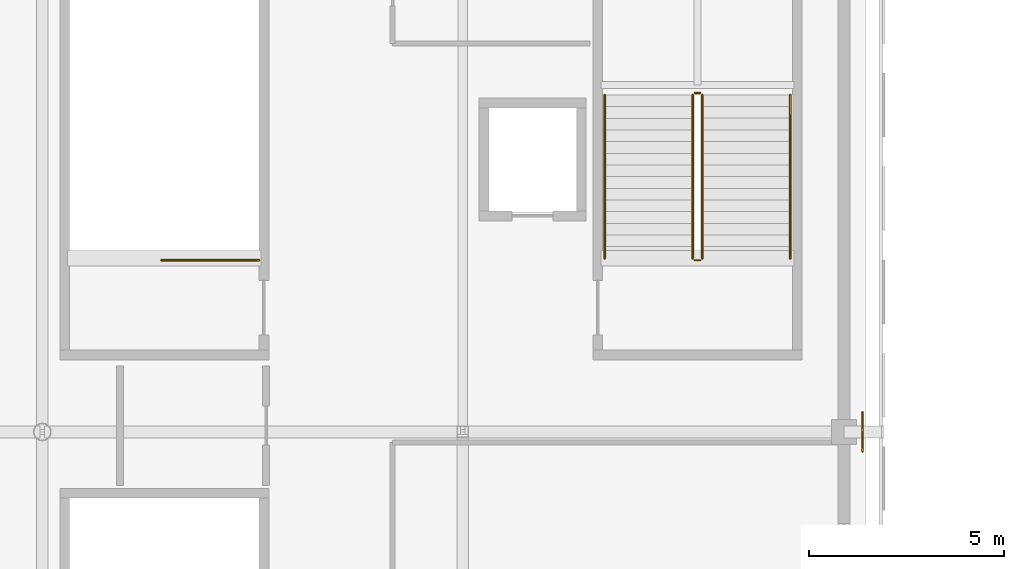
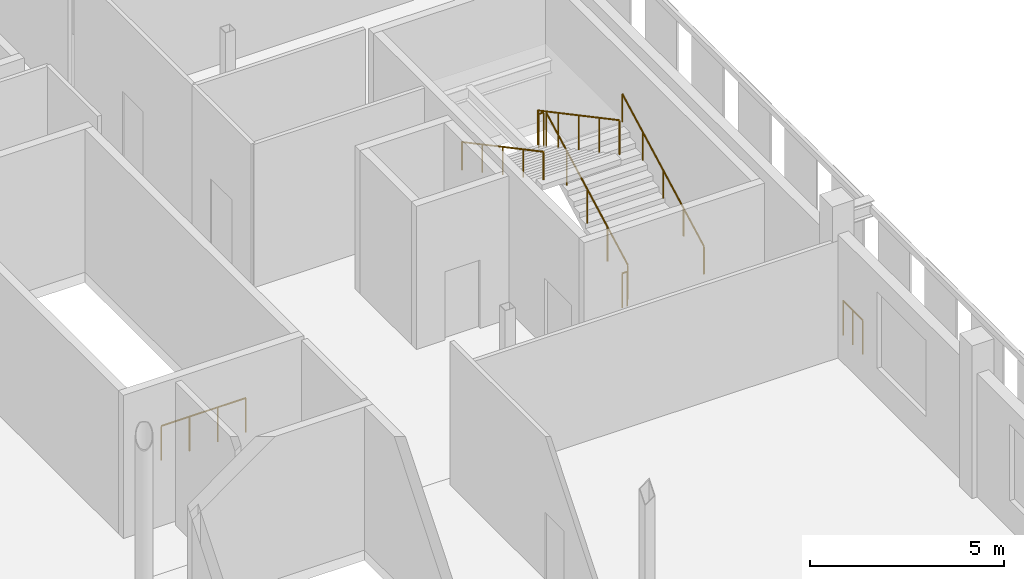
# One storey, part 67 of 74: 9 railings.
"""IFC4 building model written with IfcOpenShell, lengths in metres."""

from ifc_helpers import new_model, si_unit, direction, frame, origin, origin_2d, place, context, subcontext, project, spatial, circle, extrude, material, type_object, element, save


model = new_model("IFC4")

# Units and contexts
model_context = context("Model", 3, precision=1e-05, world=origin(), true_north=direction((0.0, 1.0)))
body_context = subcontext(model_context, "Body", "Model", "MODEL_VIEW")
ifc_project = project(units=[si_unit("LENGTHUNIT", "METRE"), si_unit("AREAUNIT", "SQUARE_METRE"), si_unit("VOLUMEUNIT", "CUBIC_METRE"), si_unit("PLANEANGLEUNIT", "RADIAN"), si_unit("MASSUNIT", "GRAM", prefix="KILO")], contexts=[model_context])

# Site, building, storey
site_placement = place(None, origin())
site = spatial("IfcSite", under=ifc_project, at=site_placement, CompositionType="ELEMENT")
building_placement = place(site_placement, origin())
building = spatial("IfcBuilding", under=site, at=building_placement, Name="Koshinbarg Plaza Stadium", CompositionType="ELEMENT")
storey_placement = place(building_placement, frame((0.0, 0.0, 15.0)))
storey = spatial("IfcBuildingStorey", under=building, at=storey_placement, Name="L03", CompositionType="ELEMENT", Elevation=15.0)

# Railings
ifc_material_1 = material(Name="Toughened laminated glass and stainless steel sightline balustrade", Category="steel")
railing_type_1 = type_object("IfcRailingType", Name="RL-BOWL-1100", PredefinedType="BALUSTRADE", material=ifc_material_1)
railing_1_placement = place(storey_placement, frame((218.875, 54.300048828125, 0.0)))
element("IfcRailing", 1, at=railing_1_placement, inside=storey, type_object=railing_type_1, Name="L03 deck edge safety balustrade 0236", PredefinedType="BALUSTRADE", context=body_context, shape_type="SweptSolid", body=[
    extrude(circle(Radius=0.02392578125, at=origin_2d()), frame((0.0, 0.0, 1.076171875), z_axis=(0.0, -1.0, 0.0), x_axis=(1.0, 0.0, 0.0)), (0.0, 0.0, 1.0), 0.49853515625),
    extrude(circle(Radius=0.02099609375, at=origin_2d()), origin(), (0.0, 0.0, 1.0), 1.052001953125),
    extrude(circle(Radius=0.02099609375, at=origin_2d()), frame((0.0, -0.49853515625, 0.0)), (0.0, 0.0, 1.0), 1.052001953125),
])
railing_2_placement = place(storey_placement, frame((218.875, 54.800048828125, 0.0)))
element("IfcRailing", 2, at=railing_2_placement, inside=storey, type_object=railing_type_1, Name="L03 deck edge safety balustrade 0245", PredefinedType="BALUSTRADE", context=body_context, shape_type="SweptSolid", body=[
    extrude(circle(Radius=0.02392578125, at=origin_2d()), frame((0.0, 0.0, 1.076171875), z_axis=(0.0, -1.0, 0.0), x_axis=(1.0, 0.0, 0.0)), (0.0, 0.0, 1.0), 0.5),
    extrude(circle(Radius=0.02099609375, at=origin_2d()), origin(), (0.0, 0.0, 1.0), 1.052001953125),
    extrude(circle(Radius=0.02099609375, at=origin_2d()), frame((0.0, -0.5, 0.0)), (0.0, 0.0, 1.0), 1.052001953125),
])
ifc_material_2 = material(Name="Galvanized painted steel guardrail", Category="steel")
railing_type_2 = type_object("IfcRailingType", Name="RL-GUARD-1100", PredefinedType="GUARDRAIL", material=ifc_material_2)
railing_3_placement = place(storey_placement, frame((214.760009765625, 58.760009765625, 0.159912109375)))
element("IfcRailing", 3, at=railing_3_placement, inside=storey, type_object=railing_type_2, Name="L03 C08 stair guard 1", PredefinedType="GUARDRAIL", context=body_context, shape_type="SweptSolid", body=[
    extrude(circle(Radius=0.02392578125, at=origin_2d()), frame((0.0, 0.0, 1.076171875), z_axis=(0.0, 0.882351521365, 0.470590897432), x_axis=(-1.0, 0.0, 0.0)), (0.0, 0.0, 1.0), 4.760009765625),
    extrude(circle(Radius=0.02099609375, at=origin_2d()), origin(), (0.0, 0.0, 1.0), 1.052001953125),
    extrude(circle(Radius=0.02099609375, at=origin_2d()), frame((0.0, 1.050048828125, 0.56005859375)), (0.0, 0.0, 1.0), 1.052001953125),
    extrude(circle(Radius=0.02099609375, at=origin_2d()), frame((0.0, 2.10009765625, 1.1201171875)), (0.0, 0.0, 1.0), 1.052001953125),
    extrude(circle(Radius=0.02099609375, at=origin_2d()), frame((0.0, 3.14990234375, 1.679931640625)), (0.0, 0.0, 1.0), 1.052001953125),
    extrude(circle(Radius=0.02099609375, at=origin_2d()), frame((0.0, 4.199951171875, 2.239990234375)), (0.0, 0.0, 1.0), 1.052001953125),
])
railing_4_placement = place(storey_placement, frame((214.7099609375, 63.010009765625, 2.39990234375)))
element("IfcRailing", 4, at=railing_4_placement, inside=storey, type_object=railing_type_2, Name="L03 C08 stair guard 2", PredefinedType="GUARDRAIL", context=body_context, shape_type="SweptSolid", body=[
    extrude(circle(Radius=0.02392578125, at=origin_2d()), frame((0.0, 0.0, 1.076171875), z_axis=(-1.0, 0.0, 0.0), x_axis=(0.0, -1.0, 0.0)), (0.0, 0.0, 1.0), 0.14990234375),
    extrude(circle(Radius=0.02099609375, at=origin_2d()), origin(), (0.0, 0.0, 1.0), 1.052001953125),
    extrude(circle(Radius=0.02099609375, at=origin_2d()), frame((-0.14990234375, 0.0, 0.0)), (0.0, 0.0, 1.0), 1.052001953125),
])
railing_5_placement = place(storey_placement, frame((214.510009765625, 62.9599609375, 2.56005859375)))
element("IfcRailing", 5, at=railing_5_placement, inside=storey, type_object=railing_type_2, Name="L03 C08 stair guard 3", PredefinedType="GUARDRAIL", context=body_context, shape_type="SweptSolid", body=[
    extrude(circle(Radius=0.02392578125, at=origin_2d()), frame((0.0, 0.0, 1.076171875), z_axis=(0.0, -0.882351521365, 0.470590897432), x_axis=(1.0, 0.0, 0.0)), (0.0, 0.0, 1.0), 4.760009765625),
    extrude(circle(Radius=0.02099609375, at=origin_2d()), origin(), (0.0, 0.0, 1.0), 1.052001953125),
    extrude(circle(Radius=0.02099609375, at=origin_2d()), frame((0.0, -1.050048828125, 0.56005859375)), (0.0, 0.0, 1.0), 1.052001953125),
    extrude(circle(Radius=0.02099609375, at=origin_2d()), frame((0.0, -2.10009765625, 1.1201171875)), (0.0, 0.0, 1.0), 1.052001953125),
    extrude(circle(Radius=0.02099609375, at=origin_2d()), frame((0.0, -3.14990234375, 1.679931640625)), (0.0, 0.0, 1.0), 1.052001953125),
    extrude(circle(Radius=0.02099609375, at=origin_2d()), frame((0.0, -4.199951171875, 2.239990234375)), (0.0, 0.0, 1.0), 1.052001953125),
])
railing_6_placement = place(storey_placement, frame((214.7099609375, 58.7099609375, 0.0)))
element("IfcRailing", 6, at=railing_6_placement, inside=storey, type_object=railing_type_2, Name="L03 C08 stair guard 4", PredefinedType="GUARDRAIL", context=body_context, shape_type="SweptSolid", body=[
    extrude(circle(Radius=0.02392578125, at=origin_2d()), frame((0.0, 0.0, 1.076171875), z_axis=(-1.0, 0.0, 0.0), x_axis=(0.0, -1.0, 0.0)), (0.0, 0.0, 1.0), 0.14990234375),
    extrude(circle(Radius=0.02099609375, at=origin_2d()), origin(), (0.0, 0.0, 1.0), 1.052001953125),
    extrude(circle(Radius=0.02099609375, at=origin_2d()), frame((-0.14990234375, 0.0, 0.0)), (0.0, 0.0, 1.0), 1.052001953125),
])
railing_7_placement = place(storey_placement, frame((203.3701171875, 58.7099609375, 0.0)))
element("IfcRailing", 7, at=railing_7_placement, inside=storey, type_object=railing_type_2, Name="L03 VX09 top stairwell guard 1", PredefinedType="GUARDRAIL", context=body_context, shape_type="SweptSolid", body=[
    extrude(circle(Radius=0.02392578125, at=origin_2d()), frame((0.0, 0.0, 1.076171875), z_axis=(-1.0, 0.0, 0.0), x_axis=(0.0, -1.0, 0.0)), (0.0, 0.0, 1.0), 2.510009765625),
    extrude(circle(Radius=0.02099609375, at=origin_2d()), origin(), (0.0, 0.0, 1.0), 1.052001953125),
    extrude(circle(Radius=0.02099609375, at=origin_2d()), frame((-0.836669921875, 0.0, 0.0)), (0.0, 0.0, 1.0), 1.052001953125),
    extrude(circle(Radius=0.02099609375, at=origin_2d()), frame((-1.67333984375, 0.0, 0.0)), (0.0, 0.0, 1.0), 1.052001953125),
    extrude(circle(Radius=0.02099609375, at=origin_2d()), frame((-2.510009765625, 0.0, 0.0)), (0.0, 0.0, 1.0), 1.052001953125),
])
ifc_material_3 = material(Name="Brushed stainless steel handrail", Category="steel")
railing_type_3 = type_object("IfcRailingType", Name="RL-HAND-900", PredefinedType="HANDRAIL", material=ifc_material_3)
railing_8_placement = place(storey_placement, frame((217.02001953125, 58.760009765625, 0.159912109375)))
element("IfcRailing", 8, at=railing_8_placement, inside=storey, type_object=railing_type_3, Name="L03 C08 stair handrail 1", PredefinedType="HANDRAIL", context=body_context, shape_type="SweptSolid", body=[
    extrude(circle(Radius=0.02392578125, at=origin_2d()), frame((0.0, 0.0, 0.8759765625), z_axis=(0.0, 0.882351521365, 0.470590897432), x_axis=(-1.0, 0.0, 0.0)), (0.0, 0.0, 1.0), 4.760009765625),
    extrude(circle(Radius=0.02099609375, at=origin_2d()), origin(), (0.0, 0.0, 1.0), 0.851806640625),
    extrude(circle(Radius=0.02099609375, at=origin_2d()), frame((0.0, 1.050048828125, 0.56005859375)), (0.0, 0.0, 1.0), 0.851806640625),
    extrude(circle(Radius=0.02099609375, at=origin_2d()), frame((0.0, 2.10009765625, 1.1201171875)), (0.0, 0.0, 1.0), 0.851806640625),
    extrude(circle(Radius=0.02099609375, at=origin_2d()), frame((0.0, 3.14990234375, 1.679931640625)), (0.0, 0.0, 1.0), 0.851806640625),
    extrude(circle(Radius=0.02099609375, at=origin_2d()), frame((0.0, 4.199951171875, 2.239990234375)), (0.0, 0.0, 1.0), 0.851806640625),
])
railing_9_placement = place(storey_placement, frame((212.25, 62.9599609375, 2.56005859375)))
element("IfcRailing", 9, at=railing_9_placement, inside=storey, type_object=railing_type_3, Name="L03 C08 stair handrail 2", PredefinedType="HANDRAIL", context=body_context, shape_type="SweptSolid", body=[
    extrude(circle(Radius=0.02392578125, at=origin_2d()), frame((0.0, 0.0, 0.8759765625), z_axis=(0.0, -0.882351521365, 0.470590897432), x_axis=(1.0, 0.0, 0.0)), (0.0, 0.0, 1.0), 4.760009765625),
    extrude(circle(Radius=0.02099609375, at=origin_2d()), origin(), (0.0, 0.0, 1.0), 0.851806640625),
    extrude(circle(Radius=0.02099609375, at=origin_2d()), frame((0.0, -1.050048828125, 0.56005859375)), (0.0, 0.0, 1.0), 0.851806640625),
    extrude(circle(Radius=0.02099609375, at=origin_2d()), frame((0.0, -2.10009765625, 1.1201171875)), (0.0, 0.0, 1.0), 0.851806640625),
    extrude(circle(Radius=0.02099609375, at=origin_2d()), frame((0.0, -3.14990234375, 1.679931640625)), (0.0, 0.0, 1.0), 0.851806640625),
    extrude(circle(Radius=0.02099609375, at=origin_2d()), frame((0.0, -4.199951171875, 2.239990234375)), (0.0, 0.0, 1.0), 0.851806640625),
])

save(model, "model.ifc")
